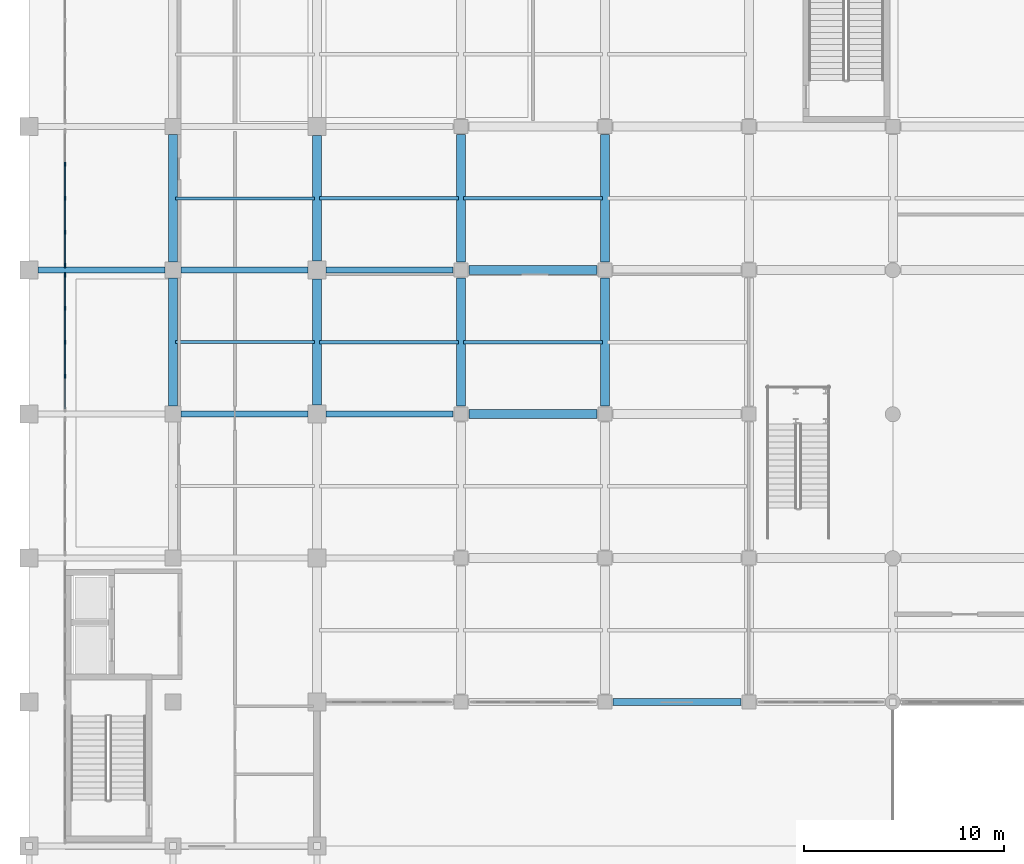
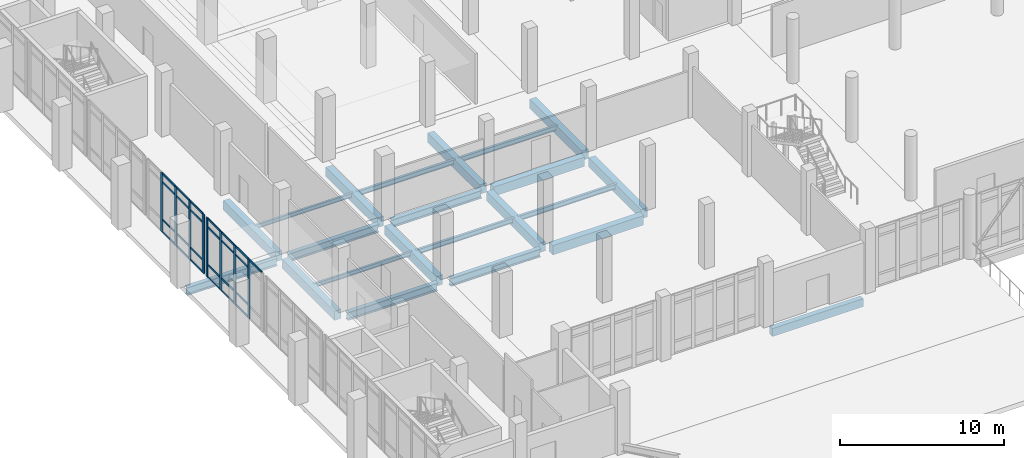
# One storey, part 11 of 59: 33 members, 22 beams, 2 elements without a shape of their own.
"""IFC4 building model written with IfcOpenShell, lengths in metres."""

import ifcopenshell
import ifcopenshell.guid

model = None  # the IFC model being written
_history = None  # IfcOwnerHistory: only IFC2X3 demands one
_inside = {}  # id of a spatial element -> (the spatial element, [elements in it])
_under = {}  # id of a project, library or spatial element -> (it, [spatial elements below it])
_declared = {}  # id of a project -> (the project, [libraries it declares])
_typed = {}  # id of a type object -> (the type object, [elements of that type])
_made_of = {}  # id of a material, layer set ... -> (it, [elements and type objects made of it])


def new_model(schema):
    """Start an empty IFC model of exactly this schema.

    Asked for "IFC4X3", IfcOpenShell would pick the latest addendum, in which some entities
    have other attributes; the version numbers below select the first issue.
    IFC2X3 requires an IfcOwnerHistory on every rooted entity: one is made here for all.
    """
    global model, _history
    if schema == "IFC4X3":
        model = ifcopenshell.file(schema_version=(4, 3, 0, 0))
    else:
        model = ifcopenshell.file(schema=schema)
    _inside.clear()
    _under.clear()
    _declared.clear()
    _typed.clear()
    _made_of.clear()
    _history = None
    if model.schema == "IFC2X3":
        org = make("IfcOrganization", Name="unknown")
        user = make(
            "IfcPersonAndOrganization",
            ThePerson=make("IfcPerson", FamilyName="unknown"),
            TheOrganization=org,
        )
        app = make(
            "IfcApplication",
            ApplicationDeveloper=org,
            Version="unknown",
            ApplicationFullName="unknown",
            ApplicationIdentifier="unknown",
        )
        _history = make(
            "IfcOwnerHistory",
            OwningUser=user,
            OwningApplication=app,
            ChangeAction="ADDED",
            CreationDate=0,
        )
    return model


def make(cls, **values):
    """One entity of the class cls with the attributes given. An attribute that is None is left unset."""
    return model.create_entity(
        cls, **{name: value for name, value in values.items() if value is not None}
    )


def rooted(cls, **values):
    """An entity with a GlobalId (a new one), such as an element, a storey or a relation."""
    return make(cls, GlobalId=ifcopenshell.guid.new(), OwnerHistory=_history, **values)


def si_unit(unit_type, name, prefix=None):
    """IfcSIUnit, for example si_unit("LENGTHUNIT", "METRE", prefix="MILLI")."""
    return make("IfcSIUnit", UnitType=unit_type, Prefix=prefix, Name=name)


def assignment(units):
    """IfcUnitAssignment: the units of a project."""
    return None if units is None else make("IfcUnitAssignment", Units=units)


def point(xyz):
    """IfcCartesianPoint."""
    return None if xyz is None else make("IfcCartesianPoint", Coordinates=xyz)


def direction(xyz):
    """IfcDirection."""
    return None if xyz is None else make("IfcDirection", DirectionRatios=xyz)


def frame(location, z_axis=None, x_axis=None):
    """IfcAxis2Placement3D, a coordinate frame: its origin and axes. An axis left out is left unset."""
    return make(
        "IfcAxis2Placement3D",
        Location=point(location),
        Axis=direction(z_axis),
        RefDirection=direction(x_axis),
    )


def frame_2d(location, x_axis=None):
    """IfcAxis2Placement2D, a coordinate frame in the plane: its origin and x axis."""
    return make(
        "IfcAxis2Placement2D", Location=point(location), RefDirection=direction(x_axis)
    )


def origin():
    """The frame at (0, 0, 0) with its axes left unset."""
    return frame((0.0, 0.0, 0.0))


def origin_2d():
    """The frame at (0, 0) in the plane with its x axis left unset."""
    return frame_2d((0.0, 0.0))


def place(relative_to, where):
    """IfcLocalPlacement: puts the frame where relative to a parent placement (None: the world)."""
    return make(
        "IfcLocalPlacement", PlacementRelTo=relative_to, RelativePlacement=where
    )


def context(
    kind, dimensions, precision=None, world=None, true_north=None, identifier=None
):
    """IfcGeometricRepresentationContext, for example the 3D "Model" context."""
    return make(
        "IfcGeometricRepresentationContext",
        ContextIdentifier=identifier,
        ContextType=kind,
        CoordinateSpaceDimension=dimensions,
        Precision=precision,
        WorldCoordinateSystem=world,
        TrueNorth=true_north,
    )


def subcontext(parent, identifier, kind, view, scale=None):
    """IfcGeometricRepresentationSubContext, for example "Body" below "Model"."""
    return make(
        "IfcGeometricRepresentationSubContext",
        ContextIdentifier=identifier,
        ContextType=kind,
        ParentContext=parent,
        TargetScale=scale,
        TargetView=view,
    )


def project(units=None, contexts=None):
    """IfcProject with its units and contexts."""
    return rooted(
        "IfcProject",
        Name="project",
        RepresentationContexts=contexts,
        UnitsInContext=assignment(units),
    )


def spatial(cls, under=None, at=None, **own):
    """A site, building, storey or space (cls), placed at a placement, below another one or the project."""
    s = rooted(cls, ObjectPlacement=at, **own)
    if under is not None:
        _under.setdefault(under.id(), (under, []))[1].append(s)
    return s


def profile(cls, at=None, kind="AREA", **sizes):
    """A parametric profile (cls). Its sizes go by their IFC names, for example OverallWidth=200.0."""
    return make(cls, ProfileType=kind, Position=at, **sizes)


def rectangle(**sizes):
    """IfcRectangleProfileDef."""
    return profile("IfcRectangleProfileDef", **sizes)


def i_section(**sizes):
    """IfcIShapeProfileDef."""
    return profile("IfcIShapeProfileDef", **sizes)


def extrude(swept, where, along, depth):
    """IfcExtrudedAreaSolid: the profile swept, set in the frame where, extruded along a direction by depth."""
    return make(
        "IfcExtrudedAreaSolid",
        SweptArea=swept,
        Position=where,
        ExtrudedDirection=direction(along),
        Depth=depth,
    )


def shape(context_of_items, identifier, shape_type, items):
    """IfcShapeRepresentation: the items that make up one representation, for example the "Body"."""
    return make(
        "IfcShapeRepresentation",
        ContextOfItems=context_of_items,
        RepresentationIdentifier=identifier,
        RepresentationType=shape_type,
        Items=items,
    )


def material(Name=None, Category=None):
    """IfcMaterial."""
    return make("IfcMaterial", Name=Name, Category=Category)


def layer(
    of_material, thickness, ventilated=None, Name=None, Category=None, Priority=None
):
    """IfcMaterialLayer: one layer of a wall or slab, of a material (None: an air gap)."""
    return make(
        "IfcMaterialLayer",
        Material=of_material,
        LayerThickness=thickness,
        IsVentilated=ventilated,
        Name=Name,
        Category=Category,
        Priority=Priority,
    )


def layer_set(layers, Name=None):
    """IfcMaterialLayerSet."""
    return make("IfcMaterialLayerSet", MaterialLayers=layers, LayerSetName=Name)


def material_profile(
    of_material, cross_section, Name=None, Category=None, Priority=None
):
    """IfcMaterialProfile: a cross section and its material."""
    return make(
        "IfcMaterialProfile",
        Name=Name,
        Material=of_material,
        Profile=cross_section,
        Priority=Priority,
        Category=Category,
    )


def profile_set(profiles, Name=None, composite=None):
    """IfcMaterialProfileSet."""
    return make(
        "IfcMaterialProfileSet",
        Name=Name,
        MaterialProfiles=profiles,
        CompositeProfile=composite,
    )


def made_of(thing, what):
    """Note that an element or type object is made of a material, layer set ...; save() writes the relation."""
    if what is not None:
        _made_of.setdefault(what.id(), (what, []))[1].append(thing)
    return thing


def type_object(cls, material=None, **own):
    """A type object (cls), such as IfcWallType, which elements share."""
    return made_of(rooted(cls, **own), material)


def element(
    cls,
    number,
    at=None,
    inside=None,
    cuts=None,
    type_object=None,
    material=None,
    context=None,
    identifier="Body",
    shape_type=None,
    held_by="IfcProductDefinitionShape",
    body=None,
    shapes=None,
    **own,
):
    """One element of the class cls, such as IfcWall. Its Tag is "e" and its number.

    at: its placement. inside: the storey or other place that contains it. cuts: it is an
    opening in that element (IfcRelVoidsElement). A single representation is given by context,
    identifier, shape_type and body (its items); several are given by shapes. held_by: the class
    of the entity that holds the representations. save() writes the other relations.
    """
    e = rooted(cls, Tag="e%d" % number, ObjectPlacement=at, **own)
    if body is not None:
        shapes = [shape(context, identifier, shape_type, body)]
    if shapes is not None:
        e.Representation = make(held_by, Representations=shapes)
    if inside is not None:
        _inside.setdefault(inside.id(), (inside, []))[1].append(e)
    if cuts is not None:
        rooted(
            "IfcRelVoidsElement", RelatingBuildingElement=cuts, RelatedOpeningElement=e
        )
    if type_object is not None:
        _typed.setdefault(type_object.id(), (type_object, []))[1].append(e)
    return made_of(e, material)


def aggregate(whole, parts):
    """IfcRelAggregates: a whole, such as a stair, and the parts it consists of."""
    return rooted("IfcRelAggregates", RelatingObject=whole, RelatedObjects=parts)


def save(model, path):
    """Write the relations noted so far, then the file.

    IfcRelAggregates (storeys below a building ...), IfcRelContainedInSpatialStructure (elements
    in a storey), IfcRelDefinesByType, IfcRelAssociatesMaterial and IfcRelDeclares: one each for
    every whole, place, type object, material and project.
    """
    for whole, parts in _under.values():
        aggregate(whole, parts)
    for where, things in _inside.values():
        rooted(
            "IfcRelContainedInSpatialStructure",
            RelatedElements=things,
            RelatingStructure=where,
        )
    for kind, things in _typed.values():
        rooted("IfcRelDefinesByType", RelatedObjects=things, RelatingType=kind)
    for what, things in _made_of.values():
        rooted("IfcRelAssociatesMaterial", RelatedObjects=things, RelatingMaterial=what)
    for by, libraries in _declared.values():
        rooted("IfcRelDeclares", RelatingContext=by, RelatedDefinitions=libraries)
    model.write(path)


model = new_model("IFC4")

# Units and contexts
model_context = context("Model", 3, precision=1e-05, world=origin(), true_north=direction((0.0, 1.0)))
body_context = subcontext(model_context, "Body", "Model", "MODEL_VIEW")
ifc_project = project(units=[si_unit("LENGTHUNIT", "METRE"), si_unit("AREAUNIT", "SQUARE_METRE"), si_unit("VOLUMEUNIT", "CUBIC_METRE"), si_unit("PLANEANGLEUNIT", "RADIAN"), si_unit("MASSUNIT", "GRAM", prefix="KILO")], contexts=[model_context])

# Site, building, storey
site_placement = place(None, origin())
site = spatial("IfcSite", under=ifc_project, at=site_placement, CompositionType="ELEMENT")
building_placement = place(site_placement, origin())
building = spatial("IfcBuilding", under=site, at=building_placement, Name="Valkovuoma Quantum and Materials Research Institute", CompositionType="ELEMENT")
storey_placement = place(building_placement, origin())
storey = spatial("IfcBuildingStorey", under=building, at=storey_placement, Name="L00", CompositionType="ELEMENT", Elevation=0.0)

# Beams
ifc_material_1 = material(Name="Steel S355J2", Category="steel")
ifc_material_profile_1 = material_profile(ifc_material_1, i_section(OverallWidth=0.300048828125, OverallDepth=0.60009765625, WebThickness=0.015380859375, FlangeThickness=0.030029296875, FilletRadius=0.027099609375, at=origin_2d()), Name="Steel S355J2")
ifc_profile_set_1 = profile_set([ifc_material_profile_1], Name="Steel S355J2")
beam_type_1 = type_object("IfcBeamType", Name="Beam-B-HEB600", PredefinedType="BEAM", material=ifc_profile_set_1)
for number, where, z_axis, x_axis, name in (
    (1, (7.60009765625, 50.39990234375, -0.699951171875), (1.0, 0.0, 0.0), (0.0, 1.0, 0.0), "L00 beam X-0075"),
    (2, (14.85009765625, 50.39990234375, -0.699951171875), (1.0, 0.0, 0.0), (0.0, 1.0, 0.0), "L00 beam X-0076"),
):
    element("IfcBeam", number, at=place(storey_placement, frame(where, z_axis=z_axis, x_axis=x_axis)), inside=storey, type_object=beam_type_1, Name=name, PredefinedType="BEAM", context=body_context, shape_type="SweptSolid", body=[
        extrude(i_section(OverallWidth=0.300048828125, OverallDepth=0.60009765625, WebThickness=0.015380859375, FlangeThickness=0.030029296875, FilletRadius=0.027099609375, at=origin_2d()), origin(), (0.0, 0.0, 1.0), 6.349853515625),
    ])
beam_1_placement = place(storey_placement, frame((0.449951171875, 57.60009765625, -0.699951171875), z_axis=(1.0, 0.0, 0.0), x_axis=(0.0, 1.0, 0.0)))
element("IfcBeam", 3, at=beam_1_placement, inside=storey, type_object=beam_type_1, Name="L00 beam X-0092", PredefinedType="BEAM", context=body_context, shape_type="SweptSolid", body=[
    extrude(i_section(OverallWidth=0.300048828125, OverallDepth=0.60009765625, WebThickness=0.015380859375, FlangeThickness=0.030029296875, FilletRadius=0.027099609375, at=origin_2d()), origin(), (0.0, 0.0, 1.0), 6.35009765625),
])
for number, where, z_axis, x_axis, name in (
    (4, (7.60009765625, 57.60009765625, -0.699951171875), (1.0, 0.0, 0.0), (0.0, 1.0, 0.0), "L00 beam X-0093"),
    (5, (14.85009765625, 57.60009765625, -0.699951171875), (1.0, 0.0, 0.0), (0.0, 1.0, 0.0), "L00 beam X-0094"),
):
    element("IfcBeam", number, at=place(storey_placement, frame(where, z_axis=z_axis, x_axis=x_axis)), inside=storey, type_object=beam_type_1, Name=name, PredefinedType="BEAM", context=body_context, shape_type="SweptSolid", body=[
        extrude(i_section(OverallWidth=0.300048828125, OverallDepth=0.60009765625, WebThickness=0.015380859375, FlangeThickness=0.030029296875, FilletRadius=0.027099609375, at=origin_2d()), origin(), (0.0, 0.0, 1.0), 6.349853515625),
    ])
ifc_material_2 = material(Name="Steel S355J2", Category="steel")
ifc_material_profile_2 = material_profile(ifc_material_2, i_section(OverallWidth=0.14990234375, OverallDepth=0.300048828125, WebThickness=0.007080078125, FlangeThickness=0.0107421875, FilletRadius=0.014892578125, at=origin_2d()), Name="Steel S355J2")
ifc_profile_set_2 = profile_set([ifc_material_profile_2], Name="Steel S355J2")
beam_type_2 = type_object("IfcBeamType", Name="Beam-B-JST300", PredefinedType="JOIST", material=ifc_profile_set_2)
for number, where, z_axis, x_axis, name in (
    (6, (7.320068359375, 54.0, -0.550048828125), (1.0, 0.0, 0.0), (0.0, 1.0, 0.0), "L00 floor joist 0453"),
    (7, (7.320068359375, 61.199951171875, -0.550048828125), (1.0, 0.0, 0.0), (0.0, 1.0, 0.0), "L00 floor joist 0470"),
):
    element("IfcBeam", number, at=place(storey_placement, frame(where, z_axis=z_axis, x_axis=x_axis)), inside=storey, type_object=beam_type_2, Name=name, PredefinedType="JOIST", context=body_context, shape_type="SweptSolid", body=[
        extrude(i_section(OverallWidth=0.14990234375, OverallDepth=0.300048828125, WebThickness=0.007080078125, FlangeThickness=0.0107421875, FilletRadius=0.014892578125, at=origin_2d()), origin(), (0.0, 0.0, 1.0), 6.9599609375),
    ])
ifc_material_3 = material(Name="Steel S355J2", Category="steel")
ifc_material_profile_3 = material_profile(ifc_material_3, i_section(OverallWidth=0.169921875, OverallDepth=0.360107421875, WebThickness=0.008056640625, FlangeThickness=0.0126953125, FilletRadius=0.01806640625, at=origin_2d()), Name="Steel S355J2")
ifc_profile_set_3 = profile_set([ifc_material_profile_3], Name="Steel S355J2")
beam_type_3 = type_object("IfcBeamType", Name="Beam-B-JST360", PredefinedType="JOIST", material=ifc_profile_set_3)
for number, where, z_axis, x_axis, name in (
    (8, (14.52001953125, 54.0, -0.580078125), (1.0, 0.0, 0.0), (0.0, 1.0, 0.0), "L00 floor joist 0454"),
    (9, (21.719970703125, 54.0, -0.580078125), (1.0, 0.0, 0.0), (0.0, 1.0, 0.0), "L00 floor joist 0455"),
    (10, (14.52001953125, 61.199951171875, -0.580078125), (1.0, 0.0, 0.0), (0.0, 1.0, 0.0), "L00 floor joist 0471"),
    (11, (21.719970703125, 61.199951171875, -0.580078125), (1.0, 0.0, 0.0), (0.0, 1.0, 0.0), "L00 floor joist 0472"),
):
    element("IfcBeam", number, at=place(storey_placement, frame(where, z_axis=z_axis, x_axis=x_axis)), inside=storey, type_object=beam_type_3, Name=name, PredefinedType="JOIST", context=body_context, shape_type="SweptSolid", body=[
        extrude(i_section(OverallWidth=0.169921875, OverallDepth=0.360107421875, WebThickness=0.008056640625, FlangeThickness=0.0126953125, FilletRadius=0.01806640625, at=origin_2d()), origin(), (0.0, 0.0, 1.0), 6.9599609375),
    ])
ifc_material_4 = material(Name="Concrete C40/50", Category="concrete")
ifc_material_profile_4 = material_profile(ifc_material_4, rectangle(XDim=0.449951171875, YDim=0.699951171875, at=origin_2d()), Name="Concrete C40/50")
ifc_profile_set_4 = profile_set([ifc_material_profile_4], Name="Concrete C40/50")
beam_type_4 = type_object("IfcBeamType", Name="Beam-B-RC700", PredefinedType="BEAM", material=ifc_profile_set_4)
for number, where, z_axis, x_axis, name in (
    (12, (22.0, 50.39990234375, -0.75), (1.0, 0.0, 0.0), (0.0, 1.0, 0.0), "L00 beam X-0077"),
    (13, (22.0, 57.60009765625, -0.75), (1.0, 0.0, 0.0), (0.0, 1.0, 0.0), "L00 beam X-0095"),
    (14, (7.199951171875, 50.800048828125, -0.75), (0.0, 1.0, 0.0), (-1.0, 0.0, 0.0), "L00 beam Y-0201"),
    (15, (7.199951171875, 58.0, -0.75), (0.0, 1.0, 0.0), (-1.0, 0.0, 0.0), "L00 beam Y-0202"),
):
    element("IfcBeam", number, at=place(storey_placement, frame(where, z_axis=z_axis, x_axis=x_axis)), inside=storey, type_object=beam_type_4, Name=name, PredefinedType="BEAM", context=body_context, shape_type="SweptSolid", body=[
        extrude(rectangle(XDim=0.449951171875, YDim=0.699951171875, at=origin_2d()), origin(), (0.0, 0.0, 1.0), 6.39990234375),
    ])
beam_2_placement = place(storey_placement, frame((14.39990234375, 50.85009765625, -0.75), z_axis=(0.0, 1.0, 0.0), x_axis=(-1.0, 0.0, 0.0)))
element("IfcBeam", 16, at=beam_2_placement, inside=storey, type_object=beam_type_4, Name="L00 beam Y-0208", PredefinedType="BEAM", context=body_context, shape_type="SweptSolid", body=[
    extrude(rectangle(XDim=0.449951171875, YDim=0.699951171875, at=origin_2d()), origin(), (0.0, 0.0, 1.0), 6.2998046875),
])
beam_3_placement = place(storey_placement, frame((14.39990234375, 58.050048828125, -0.75), z_axis=(0.0, 1.0, 0.0), x_axis=(-1.0, 0.0, 0.0)))
element("IfcBeam", 17, at=beam_3_placement, inside=storey, type_object=beam_type_4, Name="L00 beam Y-0209", PredefinedType="BEAM", context=body_context, shape_type="SweptSolid", body=[
    extrude(rectangle(XDim=0.449951171875, YDim=0.699951171875, at=origin_2d()), origin(), (0.0, 0.0, 1.0), 6.300048828125),
])
for number, where, z_axis, x_axis, name in (
    (18, (21.60009765625, 50.800048828125, -0.75), (0.0, 1.0, 0.0), (-1.0, 0.0, 0.0), "L00 beam Y-0218"),
    (19, (21.60009765625, 58.0, -0.75), (0.0, 1.0, 0.0), (-1.0, 0.0, 0.0), "L00 beam Y-0219"),
    (20, (28.800048828125, 50.800048828125, -0.75), (0.0, 1.0, 0.0), (-1.0, 0.0, 0.0), "L00 beam Y-0228"),
    (21, (28.800048828125, 58.0, -0.75), (0.0, 1.0, 0.0), (-1.0, 0.0, 0.0), "L00 beam Y-0229"),
):
    element("IfcBeam", number, at=place(storey_placement, frame(where, z_axis=z_axis, x_axis=x_axis)), inside=storey, type_object=beam_type_4, Name=name, PredefinedType="BEAM", context=body_context, shape_type="SweptSolid", body=[
        extrude(rectangle(XDim=0.449951171875, YDim=0.699951171875, at=origin_2d()), origin(), (0.0, 0.0, 1.0), 6.39990234375),
    ])
ifc_material_5 = material(Name="Concrete C40/50", Category="concrete")
ifc_material_profile_5 = material_profile(ifc_material_5, rectangle(XDim=0.35009765625, YDim=0.60009765625, at=origin_2d()), Name="Concrete C40/50")
ifc_profile_set_5 = profile_set([ifc_material_profile_5], Name="Concrete C40/50")
beam_type_5 = type_object("IfcBeamType", Name="Beam-B-SPN600", PredefinedType="SPANDREL", material=ifc_profile_set_5)
beam_4_placement = place(storey_placement, frame((29.199951171875, 36.0, -0.699951171875), z_axis=(1.0, 0.0, 0.0), x_axis=(0.0, 1.0, 0.0)))
element("IfcBeam", 22, at=beam_4_placement, inside=storey, type_object=beam_type_5, Name="L00 beam X-0035", PredefinedType="SPANDREL", context=body_context, shape_type="SweptSolid", body=[
    extrude(rectangle(XDim=0.35009765625, YDim=0.60009765625, at=origin_2d()), origin(), (0.0, 0.0, 1.0), 6.400146484375),
])

# Curtain wall, members
ifc_material_6 = material(Name="Thermally broken aluminium and triple low-E glazing", Category="aluminium")
ifc_layer = layer(ifc_material_6, 0.219970703125)
ifc_layer_set = layer_set([ifc_layer], Name="Thermally broken aluminium and triple low-E glazing")
curtain_wall_type = type_object("IfcCurtainWallType", Name="CW-CW-03", PredefinedType="NOTDEFINED", material=ifc_layer_set)
curtain_wall_1_placement = place(storey_placement, origin())
curtain_wall_1 = element("IfcCurtainWall", 23, at=curtain_wall_1_placement, inside=storey, type_object=curtain_wall_type, Name="L00 curtain wall 003", PredefinedType="NOTDEFINED")
ifc_material_7 = material(Name="Anodised aluminium 6060-T66", Category="aluminium")
ifc_material_profile_6 = material_profile(ifc_material_7, rectangle(XDim=0.074951171875, YDim=0.219970703125, at=origin_2d()), Name="Anodised aluminium 6060-T66")
ifc_profile_set_6 = profile_set([ifc_material_profile_6], Name="Anodised aluminium 6060-T66")
member_type_1 = type_object("IfcMemberType", Name="CWMull-CWM-02", PredefinedType="MULLION", material=ifc_profile_set_6)
member_1_placement = place(storey_placement, frame((1.800048828125, 52.300048828125, 0.0), z_axis=(0.0, 0.0, 1.0), x_axis=(-1.0, 0.0, 0.0)))
member_1 = element("IfcMember", 24, at=member_1_placement, type_object=member_type_1, Name="CW-03 mullion 2", PredefinedType="MULLION", context=body_context, shape_type="SweptSolid", body=[
    extrude(rectangle(XDim=0.074951171875, YDim=0.219970703125, at=origin_2d()), origin(), (0.0, 0.0, 1.0), 4.39990234375),
])
member_2_placement = place(storey_placement, frame((1.800048828125, 54.0, 0.0), z_axis=(0.0, 0.0, 1.0), x_axis=(-1.0, 0.0, 0.0)))
member_2 = element("IfcMember", 25, at=member_2_placement, type_object=member_type_1, Name="CW-03 mullion 3", PredefinedType="MULLION", context=body_context, shape_type="SweptSolid", body=[
    extrude(rectangle(XDim=0.074951171875, YDim=0.219970703125, at=origin_2d()), origin(), (0.0, 0.0, 1.0), 4.39990234375),
])
member_3_placement = place(storey_placement, frame((1.800048828125, 55.699951171875, 0.0), z_axis=(0.0, 0.0, 1.0), x_axis=(-1.0, 0.0, 0.0)))
member_3 = element("IfcMember", 26, at=member_3_placement, type_object=member_type_1, Name="CW-03 mullion 4", PredefinedType="MULLION", context=body_context, shape_type="SweptSolid", body=[
    extrude(rectangle(XDim=0.074951171875, YDim=0.219970703125, at=origin_2d()), origin(), (0.0, 0.0, 1.0), 4.39990234375),
])
member_4_placement = place(storey_placement, frame((1.800048828125, 57.362548828125, 0.0), z_axis=(0.0, 0.0, 1.0), x_axis=(-1.0, 0.0, 0.0)))
member_4 = element("IfcMember", 27, at=member_4_placement, type_object=member_type_1, Name="CW-03 mullion 5", PredefinedType="MULLION", context=body_context, shape_type="SweptSolid", body=[
    extrude(rectangle(XDim=0.074951171875, YDim=0.219970703125, at=origin_2d()), origin(), (0.0, 0.0, 1.0), 4.39990234375),
])

curtain_wall_2_placement = place(storey_placement, origin())
curtain_wall_2 = element("IfcCurtainWall", 28, at=curtain_wall_2_placement, inside=storey, type_object=curtain_wall_type, Name="L00 curtain wall 004", PredefinedType="NOTDEFINED")
member_5_placement = place(storey_placement, frame((1.800048828125, 57.83740234375, 0.0), z_axis=(0.0, 0.0, 1.0), x_axis=(-1.0, 0.0, 0.0)))
member_5 = element("IfcMember", 29, at=member_5_placement, type_object=member_type_1, Name="CW-03 mullion 1", PredefinedType="MULLION", context=body_context, shape_type="SweptSolid", body=[
    extrude(rectangle(XDim=0.074951171875, YDim=0.219970703125, at=origin_2d()), origin(), (0.0, 0.0, 1.0), 4.39990234375),
])
member_6_placement = place(storey_placement, frame((1.800048828125, 59.5, 0.0), z_axis=(0.0, 0.0, 1.0), x_axis=(-1.0, 0.0, 0.0)))
member_6 = element("IfcMember", 30, at=member_6_placement, type_object=member_type_1, Name="CW-03 mullion 2", PredefinedType="MULLION", context=body_context, shape_type="SweptSolid", body=[
    extrude(rectangle(XDim=0.074951171875, YDim=0.219970703125, at=origin_2d()), origin(), (0.0, 0.0, 1.0), 4.39990234375),
])
member_7_placement = place(storey_placement, frame((1.800048828125, 61.199951171875, 0.0), z_axis=(0.0, 0.0, 1.0), x_axis=(-1.0, 0.0, 0.0)))
member_7 = element("IfcMember", 31, at=member_7_placement, type_object=member_type_1, Name="CW-03 mullion 3", PredefinedType="MULLION", context=body_context, shape_type="SweptSolid", body=[
    extrude(rectangle(XDim=0.074951171875, YDim=0.219970703125, at=origin_2d()), origin(), (0.0, 0.0, 1.0), 4.39990234375),
])
member_8_placement = place(storey_placement, frame((1.800048828125, 62.89990234375, 0.0), z_axis=(0.0, 0.0, 1.0), x_axis=(-1.0, 0.0, 0.0)))
member_8 = element("IfcMember", 32, at=member_8_placement, type_object=member_type_1, Name="CW-03 mullion 4", PredefinedType="MULLION", context=body_context, shape_type="SweptSolid", body=[
    extrude(rectangle(XDim=0.074951171875, YDim=0.219970703125, at=origin_2d()), origin(), (0.0, 0.0, 1.0), 4.39990234375),
])

# Member
ifc_material_8 = material(Name="Anodised aluminium 6060-T66", Category="aluminium")
ifc_material_profile_7 = material_profile(ifc_material_8, rectangle(XDim=0.06494140625, YDim=0.139892578125, at=origin_2d()), Name="Anodised aluminium 6060-T66")
ifc_profile_set_7 = profile_set([ifc_material_profile_7], Name="Anodised aluminium 6060-T66")
member_type_2 = type_object("IfcMemberType", Name="CWTran-CWT-01", PredefinedType="USERDEFINED", material=ifc_profile_set_7)
member_9_placement = place(storey_placement, frame((1.800048828125, 50.675048828125, 4.367431640625), z_axis=(0.0, 1.0, 0.0), x_axis=(-1.0, 0.0, 0.0)))
member_9 = element("IfcMember", 33, at=member_9_placement, type_object=member_type_2, Name="CW-03 transom 1.4", ObjectType="TRANSOM", PredefinedType="USERDEFINED", context=body_context, shape_type="SweptSolid", body=[
    extrude(rectangle(XDim=0.06494140625, YDim=0.139892578125, at=origin_2d()), origin(), (0.0, 0.0, 1.0), 1.58740234375),
])

member_10_placement = place(storey_placement, frame((1.800048828125, 52.33740234375, 0.032470703125), z_axis=(0.0, 1.0, 0.0), x_axis=(-1.0, 0.0, 0.0)))
member_10 = element("IfcMember", 34, at=member_10_placement, type_object=member_type_2, Name="CW-03 transom 2.1", ObjectType="TRANSOM", PredefinedType="USERDEFINED", context=body_context, shape_type="SweptSolid", body=[
    extrude(rectangle(XDim=0.06494140625, YDim=0.139892578125, at=origin_2d()), origin(), (0.0, 0.0, 1.0), 1.625),
])

member_11_placement = place(storey_placement, frame((1.800048828125, 52.33740234375, 0.949951171875), z_axis=(0.0, 1.0, 0.0), x_axis=(-1.0, 0.0, 0.0)))
member_11 = element("IfcMember", 35, at=member_11_placement, type_object=member_type_2, Name="CW-03 transom 2.2", ObjectType="TRANSOM", PredefinedType="USERDEFINED", context=body_context, shape_type="SweptSolid", body=[
    extrude(rectangle(XDim=0.06494140625, YDim=0.139892578125, at=origin_2d()), origin(), (0.0, 0.0, 1.0), 1.625),
])

member_12_placement = place(storey_placement, frame((1.800048828125, 52.33740234375, 3.75), z_axis=(0.0, 1.0, 0.0), x_axis=(-1.0, 0.0, 0.0)))
member_12 = element("IfcMember", 36, at=member_12_placement, type_object=member_type_2, Name="CW-03 transom 2.3", ObjectType="TRANSOM", PredefinedType="USERDEFINED", context=body_context, shape_type="SweptSolid", body=[
    extrude(rectangle(XDim=0.06494140625, YDim=0.139892578125, at=origin_2d()), origin(), (0.0, 0.0, 1.0), 1.625),
])

member_13_placement = place(storey_placement, frame((1.800048828125, 52.33740234375, 4.367431640625), z_axis=(0.0, 1.0, 0.0), x_axis=(-1.0, 0.0, 0.0)))
member_13 = element("IfcMember", 37, at=member_13_placement, type_object=member_type_2, Name="CW-03 transom 2.4", ObjectType="TRANSOM", PredefinedType="USERDEFINED", context=body_context, shape_type="SweptSolid", body=[
    extrude(rectangle(XDim=0.06494140625, YDim=0.139892578125, at=origin_2d()), origin(), (0.0, 0.0, 1.0), 1.625),
])

member_14_placement = place(storey_placement, frame((1.800048828125, 54.03759765625, 0.032470703125), z_axis=(0.0, 1.0, 0.0), x_axis=(-1.0, 0.0, 0.0)))
member_14 = element("IfcMember", 38, at=member_14_placement, type_object=member_type_2, Name="CW-03 transom 3.1", ObjectType="TRANSOM", PredefinedType="USERDEFINED", context=body_context, shape_type="SweptSolid", body=[
    extrude(rectangle(XDim=0.06494140625, YDim=0.139892578125, at=origin_2d()), origin(), (0.0, 0.0, 1.0), 1.625),
])

member_15_placement = place(storey_placement, frame((1.800048828125, 54.03759765625, 0.949951171875), z_axis=(0.0, 1.0, 0.0), x_axis=(-1.0, 0.0, 0.0)))
member_15 = element("IfcMember", 39, at=member_15_placement, type_object=member_type_2, Name="CW-03 transom 3.2", ObjectType="TRANSOM", PredefinedType="USERDEFINED", context=body_context, shape_type="SweptSolid", body=[
    extrude(rectangle(XDim=0.06494140625, YDim=0.139892578125, at=origin_2d()), origin(), (0.0, 0.0, 1.0), 1.625),
])

member_16_placement = place(storey_placement, frame((1.800048828125, 54.03759765625, 3.75), z_axis=(0.0, 1.0, 0.0), x_axis=(-1.0, 0.0, 0.0)))
member_16 = element("IfcMember", 40, at=member_16_placement, type_object=member_type_2, Name="CW-03 transom 3.3", ObjectType="TRANSOM", PredefinedType="USERDEFINED", context=body_context, shape_type="SweptSolid", body=[
    extrude(rectangle(XDim=0.06494140625, YDim=0.139892578125, at=origin_2d()), origin(), (0.0, 0.0, 1.0), 1.625),
])

member_17_placement = place(storey_placement, frame((1.800048828125, 54.03759765625, 4.367431640625), z_axis=(0.0, 1.0, 0.0), x_axis=(-1.0, 0.0, 0.0)))
member_17 = element("IfcMember", 41, at=member_17_placement, type_object=member_type_2, Name="CW-03 transom 3.4", ObjectType="TRANSOM", PredefinedType="USERDEFINED", context=body_context, shape_type="SweptSolid", body=[
    extrude(rectangle(XDim=0.06494140625, YDim=0.139892578125, at=origin_2d()), origin(), (0.0, 0.0, 1.0), 1.625),
])

member_18_placement = place(storey_placement, frame((1.800048828125, 55.737548828125, 0.032470703125), z_axis=(0.0, 1.0, 0.0), x_axis=(-1.0, 0.0, 0.0)))
member_18 = element("IfcMember", 42, at=member_18_placement, type_object=member_type_2, Name="CW-03 transom 4.1", ObjectType="TRANSOM", PredefinedType="USERDEFINED", context=body_context, shape_type="SweptSolid", body=[
    extrude(rectangle(XDim=0.06494140625, YDim=0.139892578125, at=origin_2d()), origin(), (0.0, 0.0, 1.0), 1.58740234375),
])

member_19_placement = place(storey_placement, frame((1.800048828125, 55.737548828125, 0.949951171875), z_axis=(0.0, 1.0, 0.0), x_axis=(-1.0, 0.0, 0.0)))
member_19 = element("IfcMember", 43, at=member_19_placement, type_object=member_type_2, Name="CW-03 transom 4.2", ObjectType="TRANSOM", PredefinedType="USERDEFINED", context=body_context, shape_type="SweptSolid", body=[
    extrude(rectangle(XDim=0.06494140625, YDim=0.139892578125, at=origin_2d()), origin(), (0.0, 0.0, 1.0), 1.58740234375),
])

member_20_placement = place(storey_placement, frame((1.800048828125, 55.737548828125, 3.75), z_axis=(0.0, 1.0, 0.0), x_axis=(-1.0, 0.0, 0.0)))
member_20 = element("IfcMember", 44, at=member_20_placement, type_object=member_type_2, Name="CW-03 transom 4.3", ObjectType="TRANSOM", PredefinedType="USERDEFINED", context=body_context, shape_type="SweptSolid", body=[
    extrude(rectangle(XDim=0.06494140625, YDim=0.139892578125, at=origin_2d()), origin(), (0.0, 0.0, 1.0), 1.58740234375),
])

member_21_placement = place(storey_placement, frame((1.800048828125, 55.737548828125, 4.367431640625), z_axis=(0.0, 1.0, 0.0), x_axis=(-1.0, 0.0, 0.0)))
member_21 = element("IfcMember", 45, at=member_21_placement, type_object=member_type_2, Name="CW-03 transom 4.4", ObjectType="TRANSOM", PredefinedType="USERDEFINED", context=body_context, shape_type="SweptSolid", body=[
    extrude(rectangle(XDim=0.06494140625, YDim=0.139892578125, at=origin_2d()), origin(), (0.0, 0.0, 1.0), 1.58740234375),
])

aggregate(curtain_wall_1, [member_1, member_2, member_3, member_4, member_9, member_10, member_11, member_12, member_13, member_14, member_15, member_16, member_17, member_18, member_19, member_20, member_21])

member_22_placement = place(storey_placement, frame((1.800048828125, 57.875, 0.032470703125), z_axis=(0.0, 1.0, 0.0), x_axis=(-1.0, 0.0, 0.0)))
member_22 = element("IfcMember", 46, at=member_22_placement, type_object=member_type_2, Name="CW-03 transom 1.1", ObjectType="TRANSOM", PredefinedType="USERDEFINED", context=body_context, shape_type="SweptSolid", body=[
    extrude(rectangle(XDim=0.06494140625, YDim=0.139892578125, at=origin_2d()), origin(), (0.0, 0.0, 1.0), 1.58740234375),
])

member_23_placement = place(storey_placement, frame((1.800048828125, 57.875, 0.949951171875), z_axis=(0.0, 1.0, 0.0), x_axis=(-1.0, 0.0, 0.0)))
member_23 = element("IfcMember", 47, at=member_23_placement, type_object=member_type_2, Name="CW-03 transom 1.2", ObjectType="TRANSOM", PredefinedType="USERDEFINED", context=body_context, shape_type="SweptSolid", body=[
    extrude(rectangle(XDim=0.06494140625, YDim=0.139892578125, at=origin_2d()), origin(), (0.0, 0.0, 1.0), 1.58740234375),
])

member_24_placement = place(storey_placement, frame((1.800048828125, 57.875, 3.75), z_axis=(0.0, 1.0, 0.0), x_axis=(-1.0, 0.0, 0.0)))
member_24 = element("IfcMember", 48, at=member_24_placement, type_object=member_type_2, Name="CW-03 transom 1.3", ObjectType="TRANSOM", PredefinedType="USERDEFINED", context=body_context, shape_type="SweptSolid", body=[
    extrude(rectangle(XDim=0.06494140625, YDim=0.139892578125, at=origin_2d()), origin(), (0.0, 0.0, 1.0), 1.58740234375),
])

member_25_placement = place(storey_placement, frame((1.800048828125, 57.875, 4.367431640625), z_axis=(0.0, 1.0, 0.0), x_axis=(-1.0, 0.0, 0.0)))
member_25 = element("IfcMember", 49, at=member_25_placement, type_object=member_type_2, Name="CW-03 transom 1.4", ObjectType="TRANSOM", PredefinedType="USERDEFINED", context=body_context, shape_type="SweptSolid", body=[
    extrude(rectangle(XDim=0.06494140625, YDim=0.139892578125, at=origin_2d()), origin(), (0.0, 0.0, 1.0), 1.58740234375),
])

member_26_placement = place(storey_placement, frame((1.800048828125, 59.53759765625, 0.032470703125), z_axis=(0.0, 1.0, 0.0), x_axis=(-1.0, 0.0, 0.0)))
member_26 = element("IfcMember", 50, at=member_26_placement, type_object=member_type_2, Name="CW-03 transom 2.1", ObjectType="TRANSOM", PredefinedType="USERDEFINED", context=body_context, shape_type="SweptSolid", body=[
    extrude(rectangle(XDim=0.06494140625, YDim=0.139892578125, at=origin_2d()), origin(), (0.0, 0.0, 1.0), 1.625),
])

member_27_placement = place(storey_placement, frame((1.800048828125, 59.53759765625, 0.949951171875), z_axis=(0.0, 1.0, 0.0), x_axis=(-1.0, 0.0, 0.0)))
member_27 = element("IfcMember", 51, at=member_27_placement, type_object=member_type_2, Name="CW-03 transom 2.2", ObjectType="TRANSOM", PredefinedType="USERDEFINED", context=body_context, shape_type="SweptSolid", body=[
    extrude(rectangle(XDim=0.06494140625, YDim=0.139892578125, at=origin_2d()), origin(), (0.0, 0.0, 1.0), 1.625),
])

member_28_placement = place(storey_placement, frame((1.800048828125, 59.53759765625, 3.75), z_axis=(0.0, 1.0, 0.0), x_axis=(-1.0, 0.0, 0.0)))
member_28 = element("IfcMember", 52, at=member_28_placement, type_object=member_type_2, Name="CW-03 transom 2.3", ObjectType="TRANSOM", PredefinedType="USERDEFINED", context=body_context, shape_type="SweptSolid", body=[
    extrude(rectangle(XDim=0.06494140625, YDim=0.139892578125, at=origin_2d()), origin(), (0.0, 0.0, 1.0), 1.625),
])

member_29_placement = place(storey_placement, frame((1.800048828125, 59.53759765625, 4.367431640625), z_axis=(0.0, 1.0, 0.0), x_axis=(-1.0, 0.0, 0.0)))
member_29 = element("IfcMember", 53, at=member_29_placement, type_object=member_type_2, Name="CW-03 transom 2.4", ObjectType="TRANSOM", PredefinedType="USERDEFINED", context=body_context, shape_type="SweptSolid", body=[
    extrude(rectangle(XDim=0.06494140625, YDim=0.139892578125, at=origin_2d()), origin(), (0.0, 0.0, 1.0), 1.625),
])

member_30_placement = place(storey_placement, frame((1.800048828125, 61.237548828125, 0.032470703125), z_axis=(0.0, 1.0, 0.0), x_axis=(-1.0, 0.0, 0.0)))
member_30 = element("IfcMember", 54, at=member_30_placement, type_object=member_type_2, Name="CW-03 transom 3.1", ObjectType="TRANSOM", PredefinedType="USERDEFINED", context=body_context, shape_type="SweptSolid", body=[
    extrude(rectangle(XDim=0.06494140625, YDim=0.139892578125, at=origin_2d()), origin(), (0.0, 0.0, 1.0), 1.625),
])

member_31_placement = place(storey_placement, frame((1.800048828125, 61.237548828125, 0.949951171875), z_axis=(0.0, 1.0, 0.0), x_axis=(-1.0, 0.0, 0.0)))
member_31 = element("IfcMember", 55, at=member_31_placement, type_object=member_type_2, Name="CW-03 transom 3.2", ObjectType="TRANSOM", PredefinedType="USERDEFINED", context=body_context, shape_type="SweptSolid", body=[
    extrude(rectangle(XDim=0.06494140625, YDim=0.139892578125, at=origin_2d()), origin(), (0.0, 0.0, 1.0), 1.625),
])

member_32_placement = place(storey_placement, frame((1.800048828125, 61.237548828125, 3.75), z_axis=(0.0, 1.0, 0.0), x_axis=(-1.0, 0.0, 0.0)))
member_32 = element("IfcMember", 56, at=member_32_placement, type_object=member_type_2, Name="CW-03 transom 3.3", ObjectType="TRANSOM", PredefinedType="USERDEFINED", context=body_context, shape_type="SweptSolid", body=[
    extrude(rectangle(XDim=0.06494140625, YDim=0.139892578125, at=origin_2d()), origin(), (0.0, 0.0, 1.0), 1.625),
])

member_33_placement = place(storey_placement, frame((1.800048828125, 61.237548828125, 4.367431640625), z_axis=(0.0, 1.0, 0.0), x_axis=(-1.0, 0.0, 0.0)))
member_33 = element("IfcMember", 57, at=member_33_placement, type_object=member_type_2, Name="CW-03 transom 3.4", ObjectType="TRANSOM", PredefinedType="USERDEFINED", context=body_context, shape_type="SweptSolid", body=[
    extrude(rectangle(XDim=0.06494140625, YDim=0.139892578125, at=origin_2d()), origin(), (0.0, 0.0, 1.0), 1.625),
])

aggregate(curtain_wall_2, [member_5, member_6, member_7, member_8, member_22, member_23, member_24, member_25, member_26, member_27, member_28, member_29, member_30, member_31, member_32, member_33])

save(model, "model.ifc")
